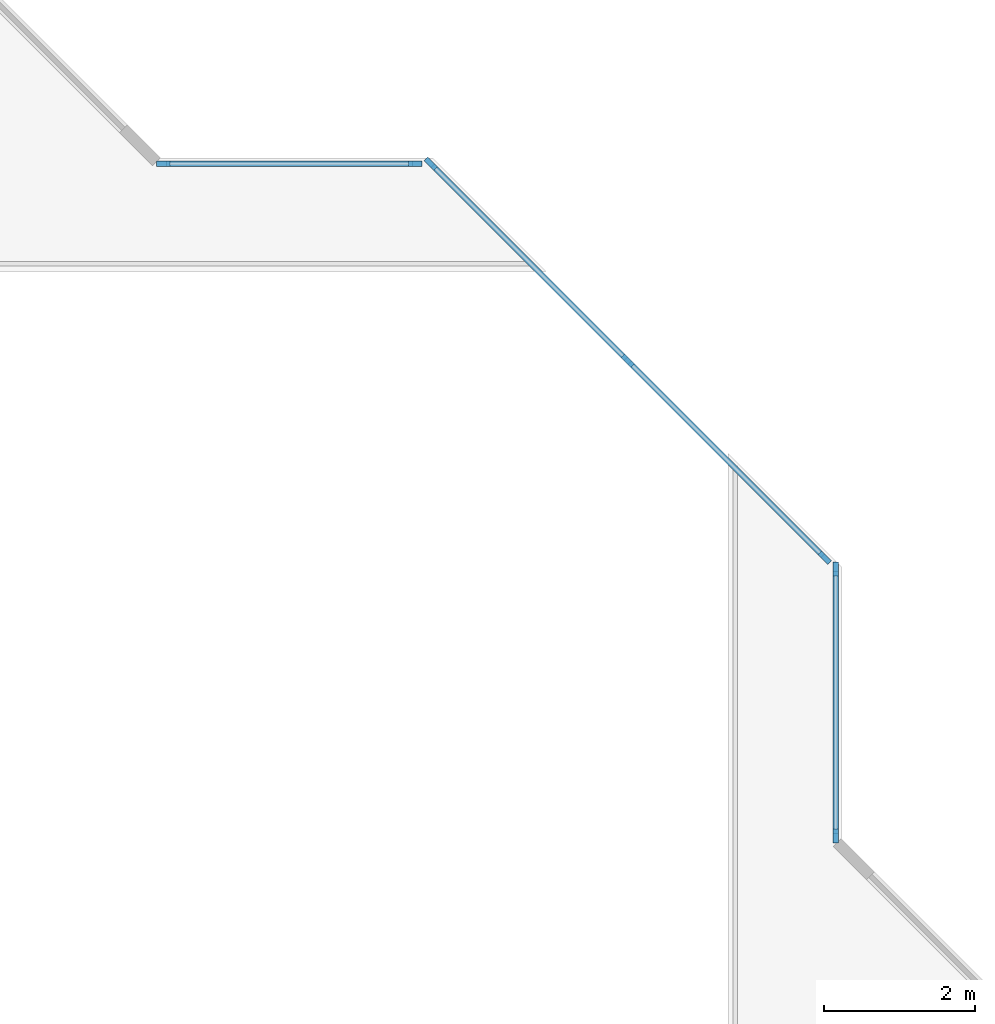
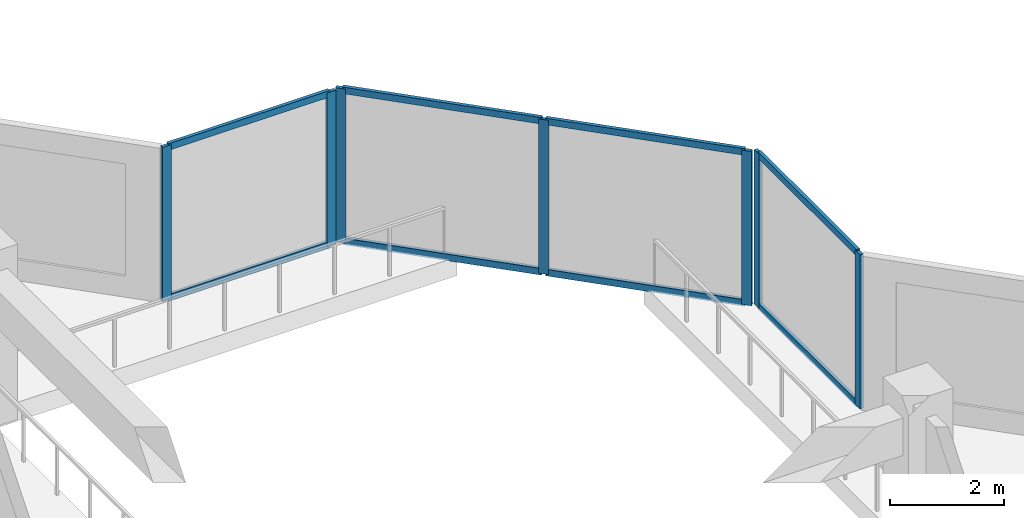
# One storey, part 2 of 15: 15 members, 3 elements without a shape of their own.
"""IFC4 building model written with IfcOpenShell, lengths in metres."""

from ifc_helpers import new_model, si_unit, direction, frame, origin, origin_2d, place, context, subcontext, project, spatial, rectangle, extrude, material, layer, layer_set, material_profile, profile_set, type_object, element, aggregate, save


model = new_model("IFC4")

# Units and contexts
model_context = context("Model", 3, precision=1e-05, world=origin(), true_north=direction((0.0, 1.0)))
body_context = subcontext(model_context, "Body", "Model", "MODEL_VIEW")
ifc_project = project(units=[si_unit("LENGTHUNIT", "METRE"), si_unit("AREAUNIT", "SQUARE_METRE"), si_unit("VOLUMEUNIT", "CUBIC_METRE"), si_unit("PLANEANGLEUNIT", "RADIAN"), si_unit("MASSUNIT", "GRAM", prefix="KILO")], contexts=[model_context])

# Site, building, storey
site_placement = place(None, origin())
site = spatial("IfcSite", under=ifc_project, at=site_placement, CompositionType="ELEMENT")
building_placement = place(site_placement, origin())
building = spatial("IfcBuilding", under=site, at=building_placement, Name="Chenar Terraces", CompositionType="ELEMENT")
storey_placement = place(building_placement, frame((0.0, 0.0, 202.39990234375)))
storey = spatial("IfcBuildingStorey", under=building, at=storey_placement, Name="L47", CompositionType="ELEMENT", Elevation=202.39990234375)

# Curtain wall, members
ifc_material_1 = material(Name="Aluminium framed glazing", Category="aluminium")
ifc_layer = layer(ifc_material_1, 0.14990234375)
ifc_layer_set = layer_set([ifc_layer], Name="Aluminium framed glazing")
curtain_wall_type = type_object("IfcCurtainWallType", Name="Atrium mid-zone curtain wall", PredefinedType="NOTDEFINED", material=ifc_layer_set)
placement = place(storey_placement, origin())
curtain_wall_1 = element("IfcCurtainWall", 1, at=placement, inside=storey, type_object=curtain_wall_type, Name="Atrium mid-zone curtain wall", PredefinedType="NOTDEFINED")
ifc_material_2 = material(Name="Aluminium", Category="aluminium")
ifc_material_profile_1 = material_profile(ifc_material_2, rectangle(XDim=0.070068359375, YDim=0.179931640625, at=origin_2d()), Name="Atrium mid-zone glazing mullion 70 x 180")
ifc_profile_set_1 = profile_set([ifc_material_profile_1], Name="Aluminium")
member_type_1 = type_object("IfcMemberType", Name="Atrium mid-zone glazing mullion 70 x 180", PredefinedType="MULLION", material=ifc_profile_set_1)
member_1_placement = place(storey_placement, frame((37.425048828125, 28.534912109375, 0.0), z_axis=(0.0, 0.0, 1.0), x_axis=(-1.0, 0.0, 0.0)))
member_1 = element("IfcMember", 2, at=member_1_placement, type_object=member_type_1, Name="CW7-1 mullion 1", PredefinedType="MULLION", context=body_context, shape_type="SweptSolid", body=[
    extrude(rectangle(XDim=0.070068359375, YDim=0.179931640625, at=origin_2d()), origin(), (0.0, 0.0, 1.0), 3.300048828125),
])
member_2_placement = place(storey_placement, frame((37.425048828125, 32.06494140625, 0.0), z_axis=(0.0, 0.0, 1.0), x_axis=(-1.0, 0.0, 0.0)))
member_2 = element("IfcMember", 3, at=member_2_placement, type_object=member_type_1, Name="CW7-1 mullion 2", PredefinedType="MULLION", context=body_context, shape_type="SweptSolid", body=[
    extrude(rectangle(XDim=0.070068359375, YDim=0.179931640625, at=origin_2d()), origin(), (0.0, 0.0, 1.0), 3.300048828125),
])

curtain_wall_2 = element("IfcCurtainWall", 4, at=placement, inside=storey, type_object=curtain_wall_type, Name="Atrium mid-zone curtain wall", PredefinedType="NOTDEFINED")
member_3_placement = place(storey_placement, frame((37.28076171875, 32.213134765625, 0.0), z_axis=(0.0, 0.0, 1.0), x_axis=(-0.707106781187, -0.707106781187, 0.0)))
member_3 = element("IfcMember", 5, at=member_3_placement, type_object=member_type_1, Name="CW7-2 mullion 1", PredefinedType="MULLION", context=body_context, shape_type="SweptSolid", body=[
    extrude(rectangle(XDim=0.070068359375, YDim=0.179931640625, at=origin_2d()), origin(), (0.0, 0.0, 1.0), 3.300048828125),
])
member_4_placement = place(storey_placement, frame((34.67626953125, 34.817626953125, 0.0), z_axis=(0.0, 0.0, 1.0), x_axis=(-0.707106781187, -0.707106781187, 0.0)))
member_4 = element("IfcMember", 6, at=member_4_placement, type_object=member_type_1, Name="CW7-2 mullion 2", PredefinedType="MULLION", context=body_context, shape_type="SweptSolid", body=[
    extrude(rectangle(XDim=0.070068359375, YDim=0.179931640625, at=origin_2d()), origin(), (0.0, 0.0, 1.0), 3.300048828125),
])
member_5_placement = place(storey_placement, frame((32.07177734375, 37.42236328125, 0.0), z_axis=(0.0, 0.0, 1.0), x_axis=(-0.707106781187, -0.707106781187, 0.0)))
member_5 = element("IfcMember", 7, at=member_5_placement, type_object=member_type_1, Name="CW7-2 mullion 3", PredefinedType="MULLION", context=body_context, shape_type="SweptSolid", body=[
    extrude(rectangle(XDim=0.070068359375, YDim=0.179931640625, at=origin_2d()), origin(), (0.0, 0.0, 1.0), 3.300048828125),
])

curtain_wall_3 = element("IfcCurtainWall", 8, at=placement, inside=storey, type_object=curtain_wall_type, Name="Atrium mid-zone curtain wall", PredefinedType="NOTDEFINED")
member_6_placement = place(storey_placement, frame((31.864990234375, 37.425048828125, 0.0), z_axis=(0.0, 0.0, 1.0), x_axis=(0.0, -1.0, 0.0)))
member_6 = element("IfcMember", 9, at=member_6_placement, type_object=member_type_1, Name="CW7-3 mullion 1", PredefinedType="MULLION", context=body_context, shape_type="SweptSolid", body=[
    extrude(rectangle(XDim=0.070068359375, YDim=0.179931640625, at=origin_2d()), origin(), (0.0, 0.0, 1.0), 3.300048828125),
])
member_7_placement = place(storey_placement, frame((28.534912109375, 37.425048828125, 0.0), z_axis=(0.0, 0.0, 1.0), x_axis=(0.0, -1.0, 0.0)))
member_7 = element("IfcMember", 10, at=member_7_placement, type_object=member_type_1, Name="CW7-3 mullion 2", PredefinedType="MULLION", context=body_context, shape_type="SweptSolid", body=[
    extrude(rectangle(XDim=0.070068359375, YDim=0.179931640625, at=origin_2d()), origin(), (0.0, 0.0, 1.0), 3.300048828125),
])

# Member
ifc_material_3 = material(Name="Aluminium", Category="aluminium")
ifc_material_profile_2 = material_profile(ifc_material_3, rectangle(XDim=0.070068359375, YDim=0.139892578125, at=origin_2d()), Name="Atrium mid-zone glazing transom 70 x 140")
ifc_profile_set_2 = profile_set([ifc_material_profile_2], Name="Aluminium")
member_type_2 = type_object("IfcMemberType", Name="Atrium mid-zone glazing transom 70 x 140", PredefinedType="USERDEFINED", material=ifc_profile_set_2)
member_8_placement = place(storey_placement, frame((37.425048828125, 28.570068359375, 0.03515625), z_axis=(0.0, 1.0, 0.0), x_axis=(-1.0, 0.0, 0.0)))
member_8 = element("IfcMember", 11, at=member_8_placement, type_object=member_type_2, Name="CW7-1 transom 1.1", ObjectType="TRANSOM", PredefinedType="USERDEFINED", context=body_context, shape_type="SweptSolid", body=[
    extrude(rectangle(XDim=0.070068359375, YDim=0.139892578125, at=origin_2d()), origin(), (0.0, 0.0, 1.0), 3.4599609375),
])

member_9_placement = place(storey_placement, frame((37.425048828125, 28.570068359375, 3.26513671875), z_axis=(0.0, 1.0, 0.0), x_axis=(-1.0, 0.0, 0.0)))
member_9 = element("IfcMember", 12, at=member_9_placement, type_object=member_type_2, Name="CW7-1 transom 1.2", ObjectType="TRANSOM", PredefinedType="USERDEFINED", context=body_context, shape_type="SweptSolid", body=[
    extrude(rectangle(XDim=0.070068359375, YDim=0.139892578125, at=origin_2d()), origin(), (0.0, 0.0, 1.0), 3.4599609375),
])

aggregate(curtain_wall_1, [member_1, member_2, member_8, member_9])

member_10_placement = place(storey_placement, frame((37.256103515625, 32.23779296875, 0.03515625), z_axis=(-0.707106781187, 0.707106781187, 0.0), x_axis=(-0.707106781187, -0.707106781187, 0.0)))
member_10 = element("IfcMember", 13, at=member_10_placement, type_object=member_type_2, Name="CW7-2 transom 1.1", ObjectType="TRANSOM", PredefinedType="USERDEFINED", context=body_context, shape_type="SweptSolid", body=[
    extrude(rectangle(XDim=0.070068359375, YDim=0.139892578125, at=origin_2d()), origin(), (0.0, 0.0, 1.0), 3.613525390625),
])

member_11_placement = place(storey_placement, frame((37.256103515625, 32.23779296875, 3.26513671875), z_axis=(-0.707106781187, 0.707106781187, 0.0), x_axis=(-0.707106781187, -0.707106781187, 0.0)))
member_11 = element("IfcMember", 14, at=member_11_placement, type_object=member_type_2, Name="CW7-2 transom 1.2", ObjectType="TRANSOM", PredefinedType="USERDEFINED", context=body_context, shape_type="SweptSolid", body=[
    extrude(rectangle(XDim=0.070068359375, YDim=0.139892578125, at=origin_2d()), origin(), (0.0, 0.0, 1.0), 3.613525390625),
])

member_12_placement = place(storey_placement, frame((34.651611328125, 34.842529296875, 0.03515625), z_axis=(-0.707140563131, 0.707072997628, 0.0), x_axis=(-0.707072997628, -0.707140563131, 0.0)))
member_12 = element("IfcMember", 15, at=member_12_placement, type_object=member_type_2, Name="CW7-2 transom 2.1", ObjectType="TRANSOM", PredefinedType="USERDEFINED", context=body_context, shape_type="SweptSolid", body=[
    extrude(rectangle(XDim=0.070068359375, YDim=0.139892578125, at=origin_2d()), origin(), (0.0, 0.0, 1.0), 3.61328125),
])

member_13_placement = place(storey_placement, frame((34.651611328125, 34.842529296875, 3.26513671875), z_axis=(-0.707140563131, 0.707072997628, 0.0), x_axis=(-0.707072997628, -0.707140563131, 0.0)))
member_13 = element("IfcMember", 16, at=member_13_placement, type_object=member_type_2, Name="CW7-2 transom 2.2", ObjectType="TRANSOM", PredefinedType="USERDEFINED", context=body_context, shape_type="SweptSolid", body=[
    extrude(rectangle(XDim=0.070068359375, YDim=0.139892578125, at=origin_2d()), origin(), (0.0, 0.0, 1.0), 3.61328125),
])

aggregate(curtain_wall_2, [member_3, member_4, member_5, member_10, member_11, member_12, member_13])

member_14_placement = place(storey_placement, frame((31.830078125, 37.425048828125, 0.03515625), z_axis=(-1.0, 0.0, 0.0), x_axis=(0.0, -1.0, 0.0)))
member_14 = element("IfcMember", 17, at=member_14_placement, type_object=member_type_2, Name="CW7-3 transom 1.1", ObjectType="TRANSOM", PredefinedType="USERDEFINED", context=body_context, shape_type="SweptSolid", body=[
    extrude(rectangle(XDim=0.070068359375, YDim=0.139892578125, at=origin_2d()), origin(), (0.0, 0.0, 1.0), 3.260009765625),
])

member_15_placement = place(storey_placement, frame((31.830078125, 37.425048828125, 3.26513671875), z_axis=(-1.0, 0.0, 0.0), x_axis=(0.0, -1.0, 0.0)))
member_15 = element("IfcMember", 18, at=member_15_placement, type_object=member_type_2, Name="CW7-3 transom 1.2", ObjectType="TRANSOM", PredefinedType="USERDEFINED", context=body_context, shape_type="SweptSolid", body=[
    extrude(rectangle(XDim=0.070068359375, YDim=0.139892578125, at=origin_2d()), origin(), (0.0, 0.0, 1.0), 3.260009765625),
])

aggregate(curtain_wall_3, [member_6, member_7, member_14, member_15])

save(model, "model.ifc")
